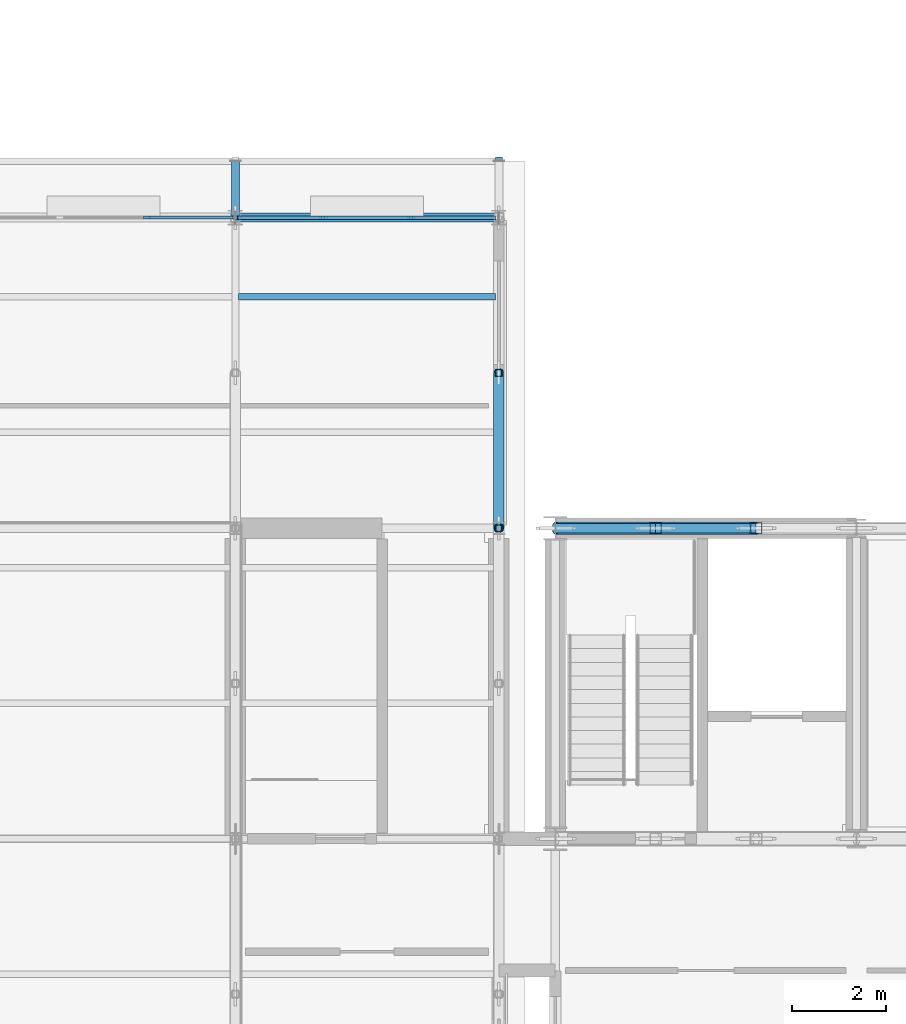
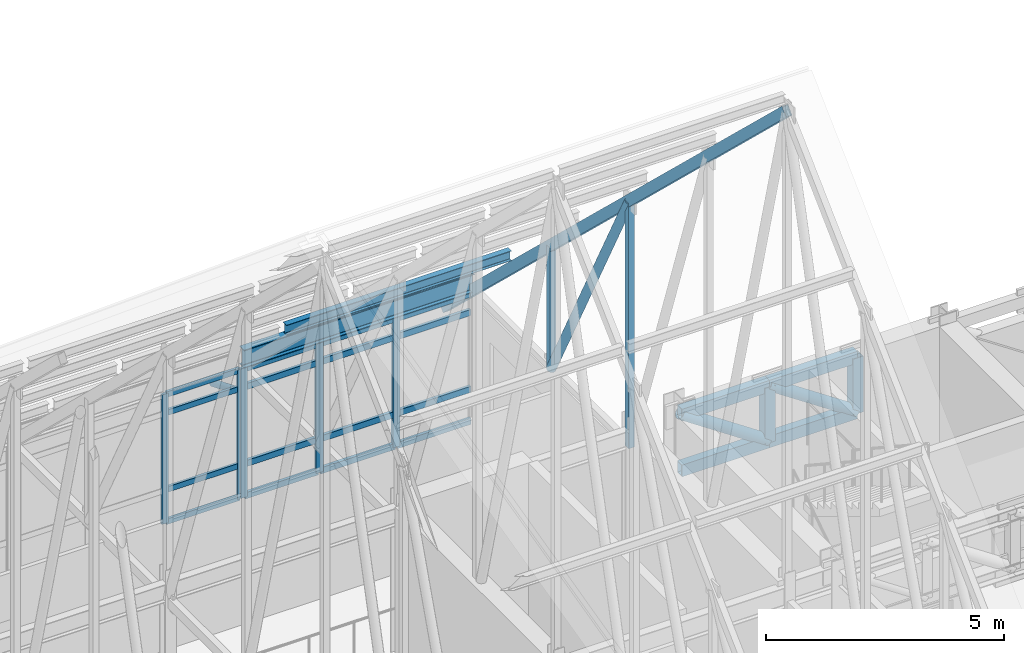
# One storey, part 57 of 144: 35 members, 1 beam, 2 elements without a shape of their own.
"""IFC4 building model written with IfcOpenShell, lengths in metres."""

from ifc_helpers import new_model, si_unit, direction, frame, origin, origin_2d, place, context, subcontext, project, spatial, rectangle, hollow_rectangle, hollow_circle, i_section, extrude, material, layer, layer_set, material_profile, profile_set, type_object, element, aggregate, save


model = new_model("IFC4")

# Units and contexts
model_context = context("Model", 3, precision=1e-05, world=origin(), true_north=direction((0.0, 1.0)))
body_context = subcontext(model_context, "Body", "Model", "MODEL_VIEW")
ifc_project = project(units=[si_unit("LENGTHUNIT", "METRE"), si_unit("AREAUNIT", "SQUARE_METRE"), si_unit("VOLUMEUNIT", "CUBIC_METRE"), si_unit("PLANEANGLEUNIT", "RADIAN"), si_unit("MASSUNIT", "GRAM", prefix="KILO")], contexts=[model_context])

# Site, building, storey
site_placement = place(None, origin())
site = spatial("IfcSite", under=ifc_project, at=site_placement, CompositionType="ELEMENT")
building_placement = place(site_placement, origin())
building = spatial("IfcBuilding", under=site, at=building_placement, Name="Trelmorton Wharf Fire Station", CompositionType="ELEMENT")
storey_placement = place(building_placement, frame((0.0, 0.0, 5.39990234375)))
storey = spatial("IfcBuildingStorey", under=building, at=storey_placement, Name="L01", CompositionType="ELEMENT", Elevation=5.39990234375)

# Curtain wall, members
ifc_material_1 = material(Name="Anodised aluminium AW-6063", Category="aluminium")
ifc_layer = layer(ifc_material_1, 0.175048828125)
ifc_layer_set = layer_set([ifc_layer], Name="Anodised aluminium AW-6063")
curtain_wall_type = type_object("IfcCurtainWallType", Name="CW_CHIC_B", PredefinedType="USERDEFINED", material=ifc_layer_set)
curtain_wall_1_placement = place(storey_placement, origin())
curtain_wall_1 = element("IfcCurtainWall", 1, at=curtain_wall_1_placement, inside=storey, type_object=curtain_wall_type, Name="CW-V1-L01-017", ObjectType="CHICAGO BAY CURTAIN WALL", PredefinedType="USERDEFINED")
ifc_material_profile_1 = material_profile(ifc_material_1, rectangle(XDim=0.06494140625, YDim=0.159912109375, at=origin_2d()), Name="ALU-65x160")
ifc_profile_set_1 = profile_set([ifc_material_profile_1], Name="Anodised aluminium AW-6063")
member_type_1 = type_object("IfcMemberType", Name="CWM_65x160", PredefinedType="MULLION", material=ifc_profile_set_1)
member_1_placement = place(storey_placement, frame((49.331787109375, 34.199951171875, 0.0), z_axis=(0.0, 0.0, 1.0), x_axis=(0.0, 1.0, 0.0)))
member_1 = element("IfcMember", 2, at=member_1_placement, type_object=member_type_1, Name="CW2 mullion 3", PredefinedType="MULLION", context=body_context, shape_type="SweptSolid", body=[
    extrude(rectangle(XDim=0.06494140625, YDim=0.159912109375, at=origin_2d()), origin(), (0.0, 0.0, 1.0), 3.320068359375),
])
member_2_placement = place(storey_placement, frame((51.1650390625, 34.199951171875, 0.0), z_axis=(0.0, 0.0, 1.0), x_axis=(0.0, 1.0, 0.0)))
member_2 = element("IfcMember", 3, at=member_2_placement, type_object=member_type_1, Name="CW2 mullion 4", PredefinedType="MULLION", context=body_context, shape_type="SweptSolid", body=[
    extrude(rectangle(XDim=0.06494140625, YDim=0.159912109375, at=origin_2d()), origin(), (0.0, 0.0, 1.0), 3.320068359375),
])

curtain_wall_2_placement = place(storey_placement, origin())
curtain_wall_2 = element("IfcCurtainWall", 4, at=curtain_wall_2_placement, inside=storey, type_object=curtain_wall_type, Name="CW-V1-L01-018", ObjectType="CHICAGO BAY CURTAIN WALL", PredefinedType="USERDEFINED")
ifc_material_profile_2 = material_profile(ifc_material_1, rectangle(XDim=0.074951171875, YDim=0.175048828125, at=origin_2d()), Name="ALU-75x175")
ifc_profile_set_2 = profile_set([ifc_material_profile_2], Name="Anodised aluminium AW-6063")
member_type_2 = type_object("IfcMemberType", Name="CWM_75x175", PredefinedType="MULLION", material=ifc_profile_set_2)
member_3_placement = place(storey_placement, frame((51.235107421875, 34.199951171875, 0.0), z_axis=(0.0, 0.0, 1.0), x_axis=(0.0, 1.0, 0.0)))
member_3 = element("IfcMember", 5, at=member_3_placement, type_object=member_type_2, Name="CW2 mullion 1", PredefinedType="MULLION", context=body_context, shape_type="SweptSolid", body=[
    extrude(rectangle(XDim=0.074951171875, YDim=0.175048828125, at=origin_2d()), origin(), (0.0, 0.0, 1.0), 3.320068359375),
])
member_4_placement = place(storey_placement, frame((53.068359375, 34.199951171875, 0.0), z_axis=(0.0, 0.0, 1.0), x_axis=(0.0, 1.0, 0.0)))
member_4 = element("IfcMember", 6, at=member_4_placement, type_object=member_type_2, Name="CW2 mullion 2", PredefinedType="MULLION", context=body_context, shape_type="SweptSolid", body=[
    extrude(rectangle(XDim=0.074951171875, YDim=0.175048828125, at=origin_2d()), origin(), (0.0, 0.0, 1.0), 3.320068359375),
])
member_5_placement = place(storey_placement, frame((54.931640625, 34.199951171875, 0.0), z_axis=(0.0, 0.0, 1.0), x_axis=(0.0, 1.0, 0.0)))
member_5 = element("IfcMember", 7, at=member_5_placement, type_object=member_type_2, Name="CW2 mullion 3", PredefinedType="MULLION", context=body_context, shape_type="SweptSolid", body=[
    extrude(rectangle(XDim=0.074951171875, YDim=0.175048828125, at=origin_2d()), origin(), (0.0, 0.0, 1.0), 3.320068359375),
])

# Member
ifc_material_profile_3 = material_profile(ifc_material_1, rectangle(XDim=0.06494140625, YDim=0.139892578125, at=origin_2d()), Name="ALU-65x140")
ifc_profile_set_3 = profile_set([ifc_material_profile_3], Name="Anodised aluminium AW-6063")
member_type_3 = type_object("IfcMemberType", Name="CWT_65x140", PredefinedType="USERDEFINED", material=ifc_profile_set_3)
member_6_placement = place(storey_placement, frame((49.361572265625, 34.199951171875, 0.030029296875), z_axis=(1.0, 0.0, 0.0), x_axis=(0.0, 1.0, 0.0)))
member_6 = element("IfcMember", 8, at=member_6_placement, type_object=member_type_3, Name="CW2 transom 3.1", ObjectType="TRANSOM", PredefinedType="USERDEFINED", context=body_context, shape_type="SweptSolid", body=[
    extrude(rectangle(XDim=0.06494140625, YDim=0.139892578125, at=origin_2d()), origin(), (0.0, 0.0, 1.0), 1.7734375),
])

member_7_placement = place(storey_placement, frame((49.361572265625, 34.199951171875, 0.85009765625), z_axis=(1.0, 0.0, 0.0), x_axis=(0.0, 1.0, 0.0)))
member_7 = element("IfcMember", 9, at=member_7_placement, type_object=member_type_3, Name="CW2 transom 3.2", ObjectType="TRANSOM", PredefinedType="USERDEFINED", context=body_context, shape_type="SweptSolid", body=[
    extrude(rectangle(XDim=0.06494140625, YDim=0.139892578125, at=origin_2d()), origin(), (0.0, 0.0, 1.0), 1.7734375),
])

member_8_placement = place(storey_placement, frame((49.361572265625, 34.199951171875, 2.820068359375), z_axis=(1.0, 0.0, 0.0), x_axis=(0.0, 1.0, 0.0)))
member_8 = element("IfcMember", 10, at=member_8_placement, type_object=member_type_3, Name="CW2 transom 3.3", ObjectType="TRANSOM", PredefinedType="USERDEFINED", context=body_context, shape_type="SweptSolid", body=[
    extrude(rectangle(XDim=0.06494140625, YDim=0.139892578125, at=origin_2d()), origin(), (0.0, 0.0, 1.0), 1.7734375),
])

member_9_placement = place(storey_placement, frame((49.361572265625, 34.199951171875, 3.2900390625), z_axis=(1.0, 0.0, 0.0), x_axis=(0.0, 1.0, 0.0)))
member_9 = element("IfcMember", 11, at=member_9_placement, type_object=member_type_3, Name="CW2 transom 3.4", ObjectType="TRANSOM", PredefinedType="USERDEFINED", context=body_context, shape_type="SweptSolid", body=[
    extrude(rectangle(XDim=0.06494140625, YDim=0.139892578125, at=origin_2d()), origin(), (0.0, 0.0, 1.0), 1.7734375),
])

aggregate(curtain_wall_1, [member_1, member_2, member_6, member_7, member_8, member_9])

ifc_material_profile_4 = material_profile(ifc_material_1, rectangle(XDim=0.074951171875, YDim=0.155029296875, at=origin_2d()), Name="ALU-75x155")
ifc_profile_set_4 = profile_set([ifc_material_profile_4], Name="Anodised aluminium AW-6063")
member_type_4 = type_object("IfcMemberType", Name="CWT_75x155", PredefinedType="USERDEFINED", material=ifc_profile_set_4)
member_10_placement = place(storey_placement, frame((51.264892578125, 34.199951171875, 0.030029296875), z_axis=(1.0, 0.0, 0.0), x_axis=(0.0, 1.0, 0.0)))
member_10 = element("IfcMember", 12, at=member_10_placement, type_object=member_type_4, Name="CW2 transom 1.1", ObjectType="TRANSOM", PredefinedType="USERDEFINED", context=body_context, shape_type="SweptSolid", body=[
    extrude(rectangle(XDim=0.074951171875, YDim=0.155029296875, at=origin_2d()), origin(), (0.0, 0.0, 1.0), 1.7734375),
])

member_11_placement = place(storey_placement, frame((51.264892578125, 34.199951171875, 0.85009765625), z_axis=(1.0, 0.0, 0.0), x_axis=(0.0, 1.0, 0.0)))
member_11 = element("IfcMember", 13, at=member_11_placement, type_object=member_type_4, Name="CW2 transom 1.2", ObjectType="TRANSOM", PredefinedType="USERDEFINED", context=body_context, shape_type="SweptSolid", body=[
    extrude(rectangle(XDim=0.074951171875, YDim=0.155029296875, at=origin_2d()), origin(), (0.0, 0.0, 1.0), 1.7734375),
])

member_12_placement = place(storey_placement, frame((51.264892578125, 34.199951171875, 2.820068359375), z_axis=(1.0, 0.0, 0.0), x_axis=(0.0, 1.0, 0.0)))
member_12 = element("IfcMember", 14, at=member_12_placement, type_object=member_type_4, Name="CW2 transom 1.3", ObjectType="TRANSOM", PredefinedType="USERDEFINED", context=body_context, shape_type="SweptSolid", body=[
    extrude(rectangle(XDim=0.074951171875, YDim=0.155029296875, at=origin_2d()), origin(), (0.0, 0.0, 1.0), 1.7734375),
])

member_13_placement = place(storey_placement, frame((51.264892578125, 34.199951171875, 3.2900390625), z_axis=(1.0, 0.0, 0.0), x_axis=(0.0, 1.0, 0.0)))
member_13 = element("IfcMember", 15, at=member_13_placement, type_object=member_type_4, Name="CW2 transom 1.4", ObjectType="TRANSOM", PredefinedType="USERDEFINED", context=body_context, shape_type="SweptSolid", body=[
    extrude(rectangle(XDim=0.074951171875, YDim=0.155029296875, at=origin_2d()), origin(), (0.0, 0.0, 1.0), 1.7734375),
])

member_14_placement = place(storey_placement, frame((53.098388671875, 34.199951171875, 0.030029296875), z_axis=(1.0, 0.0, 0.0), x_axis=(0.0, 1.0, 0.0)))
member_14 = element("IfcMember", 16, at=member_14_placement, type_object=member_type_4, Name="CW2 transom 2.1", ObjectType="TRANSOM", PredefinedType="USERDEFINED", context=body_context, shape_type="SweptSolid", body=[
    extrude(rectangle(XDim=0.074951171875, YDim=0.155029296875, at=origin_2d()), origin(), (0.0, 0.0, 1.0), 1.80322265625),
])

member_15_placement = place(storey_placement, frame((53.098388671875, 34.199951171875, 0.85009765625), z_axis=(1.0, 0.0, 0.0), x_axis=(0.0, 1.0, 0.0)))
member_15 = element("IfcMember", 17, at=member_15_placement, type_object=member_type_4, Name="CW2 transom 2.2", ObjectType="TRANSOM", PredefinedType="USERDEFINED", context=body_context, shape_type="SweptSolid", body=[
    extrude(rectangle(XDim=0.074951171875, YDim=0.155029296875, at=origin_2d()), origin(), (0.0, 0.0, 1.0), 1.80322265625),
])

member_16_placement = place(storey_placement, frame((53.098388671875, 34.199951171875, 2.820068359375), z_axis=(1.0, 0.0, 0.0), x_axis=(0.0, 1.0, 0.0)))
member_16 = element("IfcMember", 18, at=member_16_placement, type_object=member_type_4, Name="CW2 transom 2.3", ObjectType="TRANSOM", PredefinedType="USERDEFINED", context=body_context, shape_type="SweptSolid", body=[
    extrude(rectangle(XDim=0.074951171875, YDim=0.155029296875, at=origin_2d()), origin(), (0.0, 0.0, 1.0), 1.80322265625),
])

member_17_placement = place(storey_placement, frame((53.098388671875, 34.199951171875, 3.2900390625), z_axis=(1.0, 0.0, 0.0), x_axis=(0.0, 1.0, 0.0)))
member_17 = element("IfcMember", 19, at=member_17_placement, type_object=member_type_4, Name="CW2 transom 2.4", ObjectType="TRANSOM", PredefinedType="USERDEFINED", context=body_context, shape_type="SweptSolid", body=[
    extrude(rectangle(XDim=0.074951171875, YDim=0.155029296875, at=origin_2d()), origin(), (0.0, 0.0, 1.0), 1.80322265625),
])

member_18_placement = place(storey_placement, frame((54.961669921875, 34.199951171875, 0.030029296875), z_axis=(1.0, 0.0, 0.0), x_axis=(0.0, 1.0, 0.0)))
member_18 = element("IfcMember", 20, at=member_18_placement, type_object=member_type_4, Name="CW2 transom 3.1", ObjectType="TRANSOM", PredefinedType="USERDEFINED", context=body_context, shape_type="SweptSolid", body=[
    extrude(rectangle(XDim=0.074951171875, YDim=0.155029296875, at=origin_2d()), origin(), (0.0, 0.0, 1.0), 1.7734375),
])

member_19_placement = place(storey_placement, frame((54.961669921875, 34.199951171875, 0.85009765625), z_axis=(1.0, 0.0, 0.0), x_axis=(0.0, 1.0, 0.0)))
member_19 = element("IfcMember", 21, at=member_19_placement, type_object=member_type_4, Name="CW2 transom 3.2", ObjectType="TRANSOM", PredefinedType="USERDEFINED", context=body_context, shape_type="SweptSolid", body=[
    extrude(rectangle(XDim=0.074951171875, YDim=0.155029296875, at=origin_2d()), origin(), (0.0, 0.0, 1.0), 1.7734375),
])

member_20_placement = place(storey_placement, frame((54.961669921875, 34.199951171875, 2.820068359375), z_axis=(1.0, 0.0, 0.0), x_axis=(0.0, 1.0, 0.0)))
member_20 = element("IfcMember", 22, at=member_20_placement, type_object=member_type_4, Name="CW2 transom 3.3", ObjectType="TRANSOM", PredefinedType="USERDEFINED", context=body_context, shape_type="SweptSolid", body=[
    extrude(rectangle(XDim=0.074951171875, YDim=0.155029296875, at=origin_2d()), origin(), (0.0, 0.0, 1.0), 1.7734375),
])

member_21_placement = place(storey_placement, frame((54.961669921875, 34.199951171875, 3.2900390625), z_axis=(1.0, 0.0, 0.0), x_axis=(0.0, 1.0, 0.0)))
member_21 = element("IfcMember", 23, at=member_21_placement, type_object=member_type_4, Name="CW2 transom 3.4", ObjectType="TRANSOM", PredefinedType="USERDEFINED", context=body_context, shape_type="SweptSolid", body=[
    extrude(rectangle(XDim=0.074951171875, YDim=0.155029296875, at=origin_2d()), origin(), (0.0, 0.0, 1.0), 1.7734375),
])

aggregate(curtain_wall_2, [member_3, member_4, member_5, member_10, member_11, member_12, member_13, member_14, member_15, member_16, member_17, member_18, member_19, member_20, member_21])

ifc_material_2 = material(Name="Steel Grade 300 (300 MPa)", Category="steel")
ifc_material_profile_5 = material_profile(ifc_material_2, i_section(OverallWidth=0.14599609375, OverallDepth=0.256103515625, WebThickness=0.00634765625, FlangeThickness=0.010986328125, FilletRadius=0.0087890625, at=origin_2d()), Name="250UB37.3")
ifc_profile_set_5 = profile_set([ifc_material_profile_5], Name="Steel Grade 300 (300 MPa)")
member_type_5 = type_object("IfcMemberType", Name="PR_250UB37", PredefinedType="PURLIN", material=ifc_profile_set_5)
member_22_placement = place(storey_placement, frame((51.27197265625, 32.52001953125, 5.315185546875), z_axis=(1.0, 0.0, 0.0), x_axis=(0.0, 1.0, 0.0)))
element("IfcMember", 24, at=member_22_placement, inside=storey, type_object=member_type_5, Name="V1-PR-B10-N4", PredefinedType="PURLIN", context=body_context, shape_type="SweptSolid", body=[
    extrude(i_section(OverallWidth=0.14599609375, OverallDepth=0.256103515625, WebThickness=0.00634765625, FlangeThickness=0.010986328125, FilletRadius=0.0087890625, at=origin_2d()), origin(), (0.0, 0.0, 1.0), 5.4560546875),
])

# Beam
ifc_material_3 = material(Name="Steel Grade 350", Category="steel")
ifc_material_profile_6 = material_profile(ifc_material_3, i_section(OverallWidth=0.18994140625, OverallDepth=0.45703125, WebThickness=0.009033203125, FlangeThickness=0.014404296875, FilletRadius=0.011474609375, at=origin_2d()), Name="460UB74.6")
ifc_profile_set_6 = profile_set([ifc_material_profile_6], Name="Steel Grade 350")
beam_type = type_object("IfcBeamType", Name="SP_460UB75", PredefinedType="SPANDREL", material=ifc_profile_set_6)
beam_placement = place(storey_placement, frame((51.2041015625, 34.199951171875, 3.591552734375), z_axis=(1.0, 0.0, 0.0), x_axis=(0.0, 1.0, 0.0)))
element("IfcBeam", 25, at=beam_placement, inside=storey, type_object=beam_type, Name="BM-L01-0480", PredefinedType="SPANDREL", context=body_context, shape_type="SweptSolid", body=[
    extrude(i_section(OverallWidth=0.18994140625, OverallDepth=0.45703125, WebThickness=0.009033203125, FlangeThickness=0.014404296875, FilletRadius=0.011474609375, at=origin_2d()), origin(), (0.0, 0.0, 1.0), 5.591796875),
])

# Members
ifc_material_4 = material(Name="Steel C450L0 (450 MPa)", Category="steel")
ifc_material_profile_7 = material_profile(ifc_material_4, hollow_rectangle(XDim=0.199951171875, YDim=0.300048828125, WallThickness=0.012451171875, at=origin_2d()), Name="300x200x12.5RHS")
ifc_profile_set_7 = profile_set([ifc_material_profile_7], Name="Steel C450L0 (450 MPa)")
member_type_6 = type_object("IfcMemberType", Name="TR_CHORD_300RHS", PredefinedType="CHORD", material=ifc_profile_set_7)
for number, where, z_axis, x_axis, name in (
    (26, (58.008056640625, 27.60009765625, 2.35009765625), (1.0, 0.0, 0.0), (0.0, 1.0, 0.0), "Transfer Truss TT4 Bottom Chord 1"),
    (27, (58.008056640625, 27.60009765625, 3.780029296875), (1.0, 0.0, 0.0), (0.0, 1.0, 0.0), "Transfer Truss TT4 Top Chord 1"),
):
    element("IfcMember", number, at=place(storey_placement, frame(where, z_axis=z_axis, x_axis=x_axis)), inside=storey, type_object=member_type_6, Name=name, PredefinedType="CHORD", context=body_context, shape_type="SweptSolid", body=[
        extrude(hollow_rectangle(XDim=0.199951171875, YDim=0.300048828125, WallThickness=0.012451171875, at=origin_2d()), origin(), (0.0, 0.0, 1.0), 2.125244140625),
    ])
for number, where, z_axis, x_axis, name in (
    (28, (60.13330078125, 27.60009765625, 2.35009765625), (1.0, 0.0, 0.0), (0.0, 1.0, 0.0), "Transfer Truss TT4 Bottom Chord 2"),
    (29, (60.13330078125, 27.60009765625, 3.780029296875), (1.0, 0.0, 0.0), (0.0, 1.0, 0.0), "Transfer Truss TT4 Top Chord 2"),
):
    element("IfcMember", number, at=place(storey_placement, frame(where, z_axis=z_axis, x_axis=x_axis)), inside=storey, type_object=member_type_6, Name=name, PredefinedType="CHORD", context=body_context, shape_type="SweptSolid", body=[
        extrude(hollow_rectangle(XDim=0.199951171875, YDim=0.300048828125, WallThickness=0.012451171875, at=origin_2d()), origin(), (0.0, 0.0, 1.0), 2.13330078125),
    ])
ifc_material_5 = material(Name="Steel C350L0 (350 MPa)", Category="steel")
ifc_material_profile_8 = material_profile(ifc_material_5, hollow_circle(Radius=0.084228515625, WallThickness=0.007080078125, at=origin_2d()), Name="168.3x7.1CHS")
ifc_profile_set_8 = profile_set([ifc_material_profile_8], Name="Steel C350L0 (350 MPa)")
member_type_7 = type_object("IfcMemberType", Name="TR_DIAG_168CHS", PredefinedType="STRUT", material=ifc_profile_set_8)
member_23_placement = place(storey_placement, frame((51.199951171875, 34.199951171875, 2.7001953125), z_axis=(0.0, 0.924732639899, -0.380617320553), x_axis=(-1.0, 0.0, 0.0)))
element("IfcMember", 30, at=member_23_placement, inside=storey, type_object=member_type_7, Name="V1-TR10-EAV-N", PredefinedType="STRUT", context=body_context, shape_type="SweptSolid", body=[
    extrude(hollow_circle(Radius=0.084228515625, WallThickness=0.007080078125, at=origin_2d()), origin(), (0.0, 0.0, 1.0), 1.297607421875),
])
ifc_material_profile_9 = material_profile(ifc_material_5, hollow_circle(Radius=0.109619140625, WallThickness=0.00830078125, at=origin_2d()), Name="219.1x8.2CHS")
ifc_profile_set_9 = profile_set([ifc_material_profile_9], Name="Steel C350L0 (350 MPa)")
member_type_8 = type_object("IfcMemberType", Name="TR_DIAG_219CHS", PredefinedType="STRUT", material=ifc_profile_set_9)
member_24_placement = place(storey_placement, frame((56.800048828125, 30.89990234375, 3.351806640625), z_axis=(0.0, -0.463982622554, 0.8858443012), x_axis=(1.0, 0.0, 0.0)))
element("IfcMember", 31, at=member_24_placement, inside=storey, type_object=member_type_8, Name="V1-TR11-DG-N1", PredefinedType="STRUT", context=body_context, shape_type="SweptSolid", body=[
    extrude(hollow_circle(Radius=0.109619140625, WallThickness=0.00830078125, at=origin_2d()), origin(), (0.0, 0.0, 1.0), 7.11181640625),
])
ifc_material_profile_10 = material_profile(ifc_material_5, hollow_circle(Radius=0.136474609375, WallThickness=0.00927734375, at=origin_2d()), Name="273.1x9.3CHS")
ifc_profile_set_10 = profile_set([ifc_material_profile_10], Name="Steel C350L0 (350 MPa)")
member_type_9 = type_object("IfcMemberType", Name="TR_DIAG_273CHS", PredefinedType="STRUT", material=ifc_profile_set_10)
member_25_placement = place(storey_placement, frame((58.008056640625, 27.60009765625, 3.780029296875), z_axis=(0.829681979405, 0.0, -0.558236341571), x_axis=(0.0, 1.0, 0.0)))
element("IfcMember", 32, at=member_25_placement, inside=storey, type_object=member_type_9, Name="TT4-DG-1", PredefinedType="STRUT", context=body_context, shape_type="SweptSolid", body=[
    extrude(hollow_circle(Radius=0.136474609375, WallThickness=0.00927734375, at=origin_2d()), origin(), (0.0, 0.0, 1.0), 2.5615234375),
])
member_26_placement = place(storey_placement, frame((60.13330078125, 27.60009765625, 3.780029296875), z_axis=(0.830658305664, 0.0, -0.556782524179), x_axis=(0.0, 1.0, 0.0)))
element("IfcMember", 33, at=member_26_placement, inside=storey, type_object=member_type_9, Name="TT4-DG-2", PredefinedType="STRUT", context=body_context, shape_type="SweptSolid", body=[
    extrude(hollow_circle(Radius=0.136474609375, WallThickness=0.00927734375, at=origin_2d()), origin(), (0.0, 0.0, 1.0), 2.568115234375),
])
ifc_material_profile_11 = material_profile(ifc_material_5, hollow_rectangle(XDim=0.14990234375, YDim=0.14990234375, WallThickness=0.009033203125, at=origin_2d()), Name="150x150x9.0SHS")
ifc_profile_set_11 = profile_set([ifc_material_profile_11], Name="Steel C350L0 (350 MPa)")
member_type_10 = type_object("IfcMemberType", Name="TR_POST_150SHS", PredefinedType="POST", material=ifc_profile_set_11)
member_27_placement = place(storey_placement, frame((56.800048828125, 30.89990234375, 3.351806640625), z_axis=(0.0, 0.0, 1.0), x_axis=(1.0, 0.0, 0.0)))
element("IfcMember", 34, at=member_27_placement, inside=storey, type_object=member_type_10, Name="V1-TR11-VP-N1", PredefinedType="POST", context=body_context, shape_type="SweptSolid", body=[
    extrude(hollow_rectangle(XDim=0.14990234375, YDim=0.14990234375, WallThickness=0.009033203125, at=origin_2d()), origin(), (0.0, 0.0, 1.0), 3.150146484375),
])
member_28_placement = place(storey_placement, frame((56.800048828125, 27.60009765625, 3.351806640625), z_axis=(0.0, 0.0, 1.0), x_axis=(1.0, 0.0, 0.0)))
element("IfcMember", 35, at=member_28_placement, inside=storey, type_object=member_type_10, Name="V1-TR11-VP-N2", PredefinedType="POST", context=body_context, shape_type="SweptSolid", body=[
    extrude(hollow_rectangle(XDim=0.14990234375, YDim=0.14990234375, WallThickness=0.009033203125, at=origin_2d()), origin(), (0.0, 0.0, 1.0), 6.300048828125),
])
ifc_material_profile_12 = material_profile(ifc_material_4, hollow_rectangle(XDim=0.25, YDim=0.25, WallThickness=0.012451171875, at=origin_2d()), Name="250x250x12.5SHS")
ifc_profile_set_12 = profile_set([ifc_material_profile_12], Name="Steel C450L0 (450 MPa)")
member_type_11 = type_object("IfcMemberType", Name="TR_POST_250SHS", PredefinedType="POST", material=ifc_profile_set_12)
for number, where, z_axis, x_axis, name in (
    (36, (60.13330078125, 27.60009765625, 2.35009765625), (0.0, 0.0, 1.0), (1.0, 0.0, 0.0), "TT4-VP-1"),
    (37, (62.2666015625, 27.60009765625, 2.35009765625), (0.0, 0.0, 1.0), (1.0, 0.0, 0.0), "TT4-VP-2"),
):
    element("IfcMember", number, at=place(storey_placement, frame(where, z_axis=z_axis, x_axis=x_axis)), inside=storey, type_object=member_type_11, Name=name, PredefinedType="POST", context=body_context, shape_type="SweptSolid", body=[
        extrude(hollow_rectangle(XDim=0.25, YDim=0.25, WallThickness=0.012451171875, at=origin_2d()), origin(), (0.0, 0.0, 1.0), 1.429931640625),
    ])
ifc_material_profile_13 = material_profile(ifc_material_5, hollow_rectangle(XDim=0.14990234375, YDim=0.25, WallThickness=0.009033203125, at=origin_2d()), Name="250x150x9.0RHS")
ifc_profile_set_13 = profile_set([ifc_material_profile_13], Name="Steel C350L0 (350 MPa)")
member_type_12 = type_object("IfcMemberType", Name="TR_RAFT_250RHS", PredefinedType="RAFTER", material=ifc_profile_set_13)
member_29_placement = place(storey_placement, frame((56.800048828125, 21.0, 15.951904296875), z_axis=(0.0, 0.723349418794, -0.690482163659), x_axis=(-1.0, 0.0, 0.0)))
element("IfcMember", 38, at=member_29_placement, inside=storey, type_object=member_type_12, Name="V1-TR11-RFN", PredefinedType="RAFTER", context=body_context, shape_type="SweptSolid", body=[
    extrude(hollow_rectangle(XDim=0.14990234375, YDim=0.25, WallThickness=0.009033203125, at=origin_2d()), origin(), (0.0, 0.0, 1.0), 19.9072265625),
])

save(model, "model.ifc")
